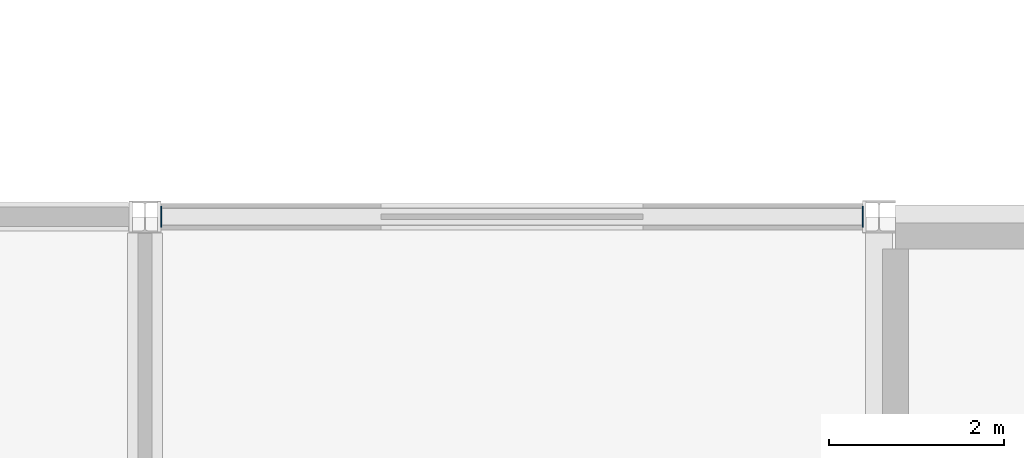
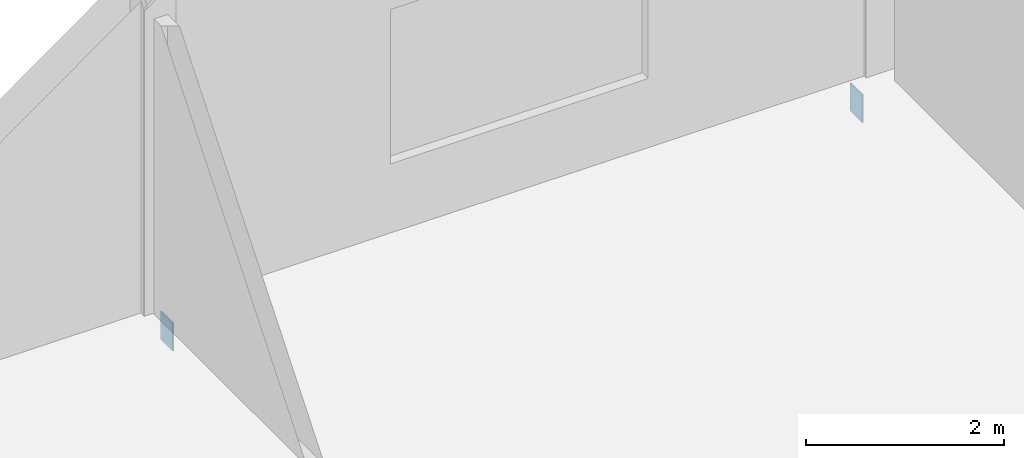
# One storey, part 25 of 45: 2 plates.
"""IFC4 building model written with IfcOpenShell, lengths in metres."""

from ifc_helpers import new_model, si_unit, direction, frame, origin, origin_2d, place, context, subcontext, project, spatial, rectangle, extrude, material, layer, layer_set, type_object, element, save


model = new_model("IFC4")

# Units and contexts
model_context = context("Model", 3, precision=1e-05, world=origin(), true_north=direction((0.0, 1.0)))
body_context = subcontext(model_context, "Body", "Model", "MODEL_VIEW")
ifc_project = project(units=[si_unit("LENGTHUNIT", "METRE"), si_unit("AREAUNIT", "SQUARE_METRE"), si_unit("VOLUMEUNIT", "CUBIC_METRE"), si_unit("PLANEANGLEUNIT", "RADIAN"), si_unit("MASSUNIT", "GRAM", prefix="KILO")], contexts=[model_context])

# Site, building, storey
site_placement = place(None, origin())
site = spatial("IfcSite", under=ifc_project, at=site_placement, CompositionType="ELEMENT")
building_placement = place(site_placement, origin())
building = spatial("IfcBuilding", under=site, at=building_placement, Name="Calvrana Isthmian Art Gallery", CompositionType="ELEMENT")
storey_placement = place(building_placement, frame((0.0, 0.0, 19.800048828125)))
storey = spatial("IfcBuildingStorey", under=building, at=storey_placement, Name="L04", CompositionType="ELEMENT", Elevation=19.800048828125)

# Plates
ifc_material = material(Name="Steel ASTM A572 Gr 50", Category="steel")
ifc_layer = layer(ifc_material, 0.01611328125, Name="Steel ASTM A572 Gr 50")
ifc_layer_set = layer_set([ifc_layer], Name="Steel ASTM A572 Gr 50")
plate_type = type_object("IfcPlateType", Name="PL-CAP-16", PredefinedType="SHEET", material=ifc_layer_set)
for number, where, z_axis, x_axis, name in (
    (1, (55.386474609375, 46.800048828125, -0.58984375), (0.0, 0.0, 1.0), (1.0, 0.0, 0.0), "Hollow section end cap plate 491"),
    (2, (63.41357421875, 46.800048828125, -0.58984375), (0.0, 0.0, 1.0), (1.0, 0.0, 0.0), "Hollow section end cap plate 492"),
):
    element("IfcPlate", number, at=place(storey_placement, frame(where, z_axis=z_axis, x_axis=x_axis)), inside=storey, type_object=plate_type, Name=name, PredefinedType="SHEET", context=body_context, shape_type="SweptSolid", body=[
        extrude(rectangle(XDim=0.01611328125, YDim=0.2431640625, at=origin_2d()), origin(), (0.0, 0.0, 1.0), 0.3447265625),
    ])

save(model, "model.ifc")
